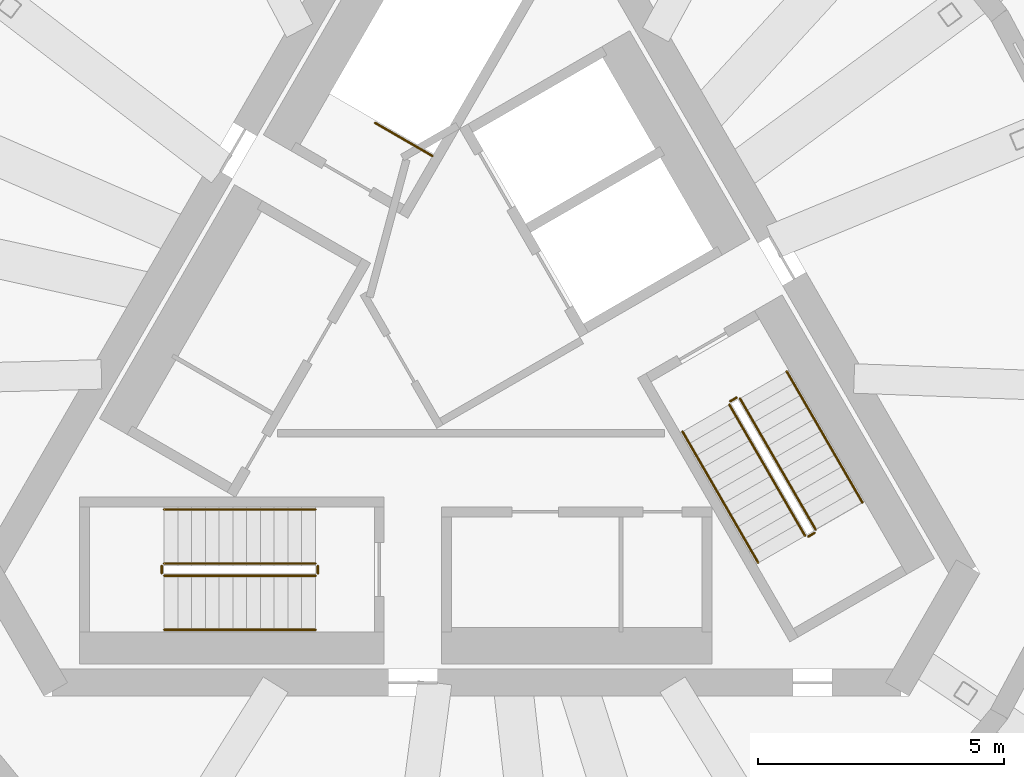
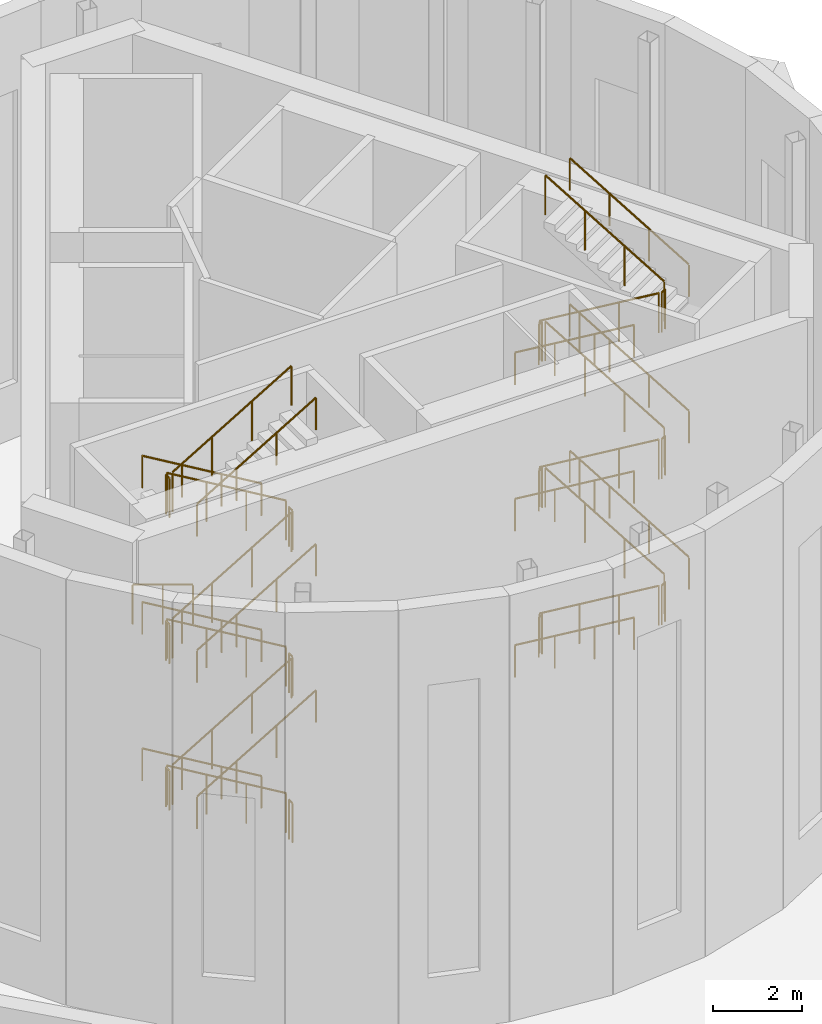
# One storey, part 9 of 9: 37 railings.
"""IFC4 building model written with IfcOpenShell, lengths in metres."""

from ifc_helpers import new_model, si_unit, direction, frame, origin, origin_2d, place, context, subcontext, project, spatial, circle, extrude, material, type_object, element, save


model = new_model("IFC4")

# Units and contexts
model_context = context("Model", 3, precision=1e-05, world=origin(), true_north=direction((0.0, 1.0)))
body_context = subcontext(model_context, "Body", "Model", "MODEL_VIEW")
ifc_project = project(units=[si_unit("LENGTHUNIT", "METRE"), si_unit("AREAUNIT", "SQUARE_METRE"), si_unit("VOLUMEUNIT", "CUBIC_METRE"), si_unit("PLANEANGLEUNIT", "RADIAN"), si_unit("MASSUNIT", "GRAM", prefix="KILO")], contexts=[model_context])

# Site, building, storey
site_placement = place(None, origin())
site = spatial("IfcSite", under=ifc_project, at=site_placement, CompositionType="ELEMENT")
building_placement = place(site_placement, origin())
building = spatial("IfcBuilding", under=site, at=building_placement, Name="Tramontana Tower", CompositionType="ELEMENT")
storey_placement = place(building_placement, frame((0.0, 0.0, 380.89990234375)))
storey = spatial("IfcBuildingStorey", under=building, at=storey_placement, Name="Crown", CompositionType="ELEMENT", Elevation=380.89990234375)

# Railings
ifc_material_1 = material(Name="Painted steel", Category="steel")
railing_type_1 = type_object("IfcRailingType", Name="STAIR GUARD 1100", PredefinedType="GUARDRAIL", material=ifc_material_1)
railing_1_placement = place(storey_placement, frame((-0.896484375, 4.247314453125, 0.0)))
element("IfcRailing", 1, at=railing_1_placement, inside=storey, type_object=railing_type_1, Name="Crown ST1 top well guard 1", PredefinedType="GUARDRAIL", context=body_context, shape_type="SweptSolid", body=[
    extrude(circle(Radius=0.02392578125, at=origin_2d()), frame((0.0, 0.0, 1.076171875), z_axis=(-0.866019956843, 0.50000943426, 0.0), x_axis=(-0.50000943426, -0.866019956843, 0.0)), (0.0, 0.0, 1.0), 1.35009765625),
    extrude(circle(Radius=0.02099609375, at=origin_2d()), origin(), (0.0, 0.0, 1.0), 1.052001953125),
    extrude(circle(Radius=0.02099609375, at=origin_2d()), frame((-0.58447265625, 0.33740234375, 0.0)), (0.0, 0.0, 1.0), 1.052001953125),
    extrude(circle(Radius=0.02099609375, at=origin_2d()), frame((-1.169189453125, 0.675048828125, 0.0)), (0.0, 0.0, 1.0), 1.052001953125),
])
railing_2_placement = place(storey_placement, frame((-3.280029296875, -4.050048828125, 0.166748046875)))
element("IfcRailing", 2, at=railing_2_placement, inside=storey, type_object=railing_type_1, Name="Crown ST2 stair guard 1", PredefinedType="GUARDRAIL", context=body_context, shape_type="SweptSolid", body=[
    extrude(circle(Radius=0.02392578125, at=origin_2d()), frame((0.0, 0.0, 1.076171875), z_axis=(-0.859308565015, 0.0, 0.511457515432), x_axis=(0.0, -1.0, 0.0)), (0.0, 0.0, 1.0), 3.58447265625),
    extrude(circle(Radius=0.02099609375, at=origin_2d()), origin(), (0.0, 0.0, 1.0), 1.052001953125),
    extrude(circle(Radius=0.02099609375, at=origin_2d()), frame((-1.026611328125, 0.0, 0.611083984375)), (0.0, 0.0, 1.0), 1.052001953125),
    extrude(circle(Radius=0.02099609375, at=origin_2d()), frame((-2.053466796875, 0.0, 1.22216796875)), (0.0, 0.0, 1.0), 1.052001953125),
    extrude(circle(Radius=0.02099609375, at=origin_2d()), frame((-3.080078125, 0.0, 1.833251953125)), (0.0, 0.0, 1.0), 1.052001953125),
])
railing_3_placement = place(storey_placement, frame((-6.360107421875, -4.300048828125, 2.166748046875)))
element("IfcRailing", 3, at=railing_3_placement, inside=storey, type_object=railing_type_1, Name="Crown ST2 stair guard 2", PredefinedType="GUARDRAIL", context=body_context, shape_type="SweptSolid", body=[
    extrude(circle(Radius=0.02392578125, at=origin_2d()), frame((0.0, 0.0, 1.076171875), z_axis=(0.859308565015, 0.0, 0.511457515432), x_axis=(0.0, 1.0, 0.0)), (0.0, 0.0, 1.0), 3.58447265625),
    extrude(circle(Radius=0.02099609375, at=origin_2d()), origin(), (0.0, 0.0, 1.0), 1.052001953125),
    extrude(circle(Radius=0.02099609375, at=origin_2d()), frame((1.026611328125, 0.0, 0.611083984375)), (0.0, 0.0, 1.0), 1.052001953125),
    extrude(circle(Radius=0.02099609375, at=origin_2d()), frame((2.053466796875, 0.0, 1.22216796875)), (0.0, 0.0, 1.0), 1.052001953125),
    extrude(circle(Radius=0.02099609375, at=origin_2d()), frame((3.080078125, 0.0, 1.833251953125)), (0.0, 0.0, 1.0), 1.052001953125),
])
railing_4_placement = place(storey_placement, frame((-3.280029296875, -4.050048828125, 4.166748046875)))
element("IfcRailing", 4, at=railing_4_placement, inside=storey, type_object=railing_type_1, Name="Crown ST2 stair guard 3", PredefinedType="GUARDRAIL", context=body_context, shape_type="SweptSolid", body=[
    extrude(circle(Radius=0.02392578125, at=origin_2d()), frame((0.0, 0.0, 1.076171875), z_axis=(-0.859308565015, 0.0, 0.511457515432), x_axis=(0.0, -1.0, 0.0)), (0.0, 0.0, 1.0), 3.58447265625),
    extrude(circle(Radius=0.02099609375, at=origin_2d()), origin(), (0.0, 0.0, 1.0), 1.052001953125),
    extrude(circle(Radius=0.02099609375, at=origin_2d()), frame((-1.026611328125, 0.0, 0.611083984375)), (0.0, 0.0, 1.0), 1.052001953125),
    extrude(circle(Radius=0.02099609375, at=origin_2d()), frame((-2.053466796875, 0.0, 1.22216796875)), (0.0, 0.0, 1.0), 1.052001953125),
    extrude(circle(Radius=0.02099609375, at=origin_2d()), frame((-3.080078125, 0.0, 1.833251953125)), (0.0, 0.0, 1.0), 1.052001953125),
])
railing_5_placement = place(storey_placement, frame((-6.360107421875, -4.300048828125, 6.166748046875)))
element("IfcRailing", 5, at=railing_5_placement, inside=storey, type_object=railing_type_1, Name="Crown ST2 stair guard 4", PredefinedType="GUARDRAIL", context=body_context, shape_type="SweptSolid", body=[
    extrude(circle(Radius=0.02392578125, at=origin_2d()), frame((0.0, 0.0, 1.076171875), z_axis=(0.859308565015, 0.0, 0.511457515432), x_axis=(0.0, 1.0, 0.0)), (0.0, 0.0, 1.0), 3.58447265625),
    extrude(circle(Radius=0.02099609375, at=origin_2d()), origin(), (0.0, 0.0, 1.0), 1.052001953125),
    extrude(circle(Radius=0.02099609375, at=origin_2d()), frame((1.026611328125, 0.0, 0.611083984375)), (0.0, 0.0, 1.0), 1.052001953125),
    extrude(circle(Radius=0.02099609375, at=origin_2d()), frame((2.053466796875, 0.0, 1.22216796875)), (0.0, 0.0, 1.0), 1.052001953125),
    extrude(circle(Radius=0.02099609375, at=origin_2d()), frame((3.080078125, 0.0, 1.833251953125)), (0.0, 0.0, 1.0), 1.052001953125),
])
railing_6_placement = place(storey_placement, frame((-3.280029296875, -4.050048828125, 8.166748046875)))
element("IfcRailing", 6, at=railing_6_placement, inside=storey, type_object=railing_type_1, Name="Crown ST2 stair guard 5", PredefinedType="GUARDRAIL", context=body_context, shape_type="SweptSolid", body=[
    extrude(circle(Radius=0.02392578125, at=origin_2d()), frame((0.0, 0.0, 1.076171875), z_axis=(-0.859308565015, 0.0, 0.511457515432), x_axis=(0.0, -1.0, 0.0)), (0.0, 0.0, 1.0), 3.58447265625),
    extrude(circle(Radius=0.02099609375, at=origin_2d()), origin(), (0.0, 0.0, 1.0), 1.052001953125),
    extrude(circle(Radius=0.02099609375, at=origin_2d()), frame((-1.026611328125, 0.0, 0.611083984375)), (0.0, 0.0, 1.0), 1.052001953125),
    extrude(circle(Radius=0.02099609375, at=origin_2d()), frame((-2.053466796875, 0.0, 1.22216796875)), (0.0, 0.0, 1.0), 1.052001953125),
    extrude(circle(Radius=0.02099609375, at=origin_2d()), frame((-3.080078125, 0.0, 1.833251953125)), (0.0, 0.0, 1.0), 1.052001953125),
])
railing_7_placement = place(storey_placement, frame((-6.360107421875, -4.300048828125, 10.166748046875)))
element("IfcRailing", 7, at=railing_7_placement, inside=storey, type_object=railing_type_1, Name="Crown ST2 stair guard 6", PredefinedType="GUARDRAIL", context=body_context, shape_type="SweptSolid", body=[
    extrude(circle(Radius=0.02392578125, at=origin_2d()), frame((0.0, 0.0, 1.076171875), z_axis=(0.859308565015, 0.0, 0.511457515432), x_axis=(0.0, 1.0, 0.0)), (0.0, 0.0, 1.0), 3.58447265625),
    extrude(circle(Radius=0.02099609375, at=origin_2d()), origin(), (0.0, 0.0, 1.0), 1.052001953125),
    extrude(circle(Radius=0.02099609375, at=origin_2d()), frame((1.026611328125, 0.0, 0.611083984375)), (0.0, 0.0, 1.0), 1.052001953125),
    extrude(circle(Radius=0.02099609375, at=origin_2d()), frame((2.053466796875, 0.0, 1.22216796875)), (0.0, 0.0, 1.0), 1.052001953125),
    extrude(circle(Radius=0.02099609375, at=origin_2d()), frame((3.080078125, 0.0, 1.833251953125)), (0.0, 0.0, 1.0), 1.052001953125),
])
for number, where, name in (
    (8, (-6.409912109375, -4.10009765625, 2.0), "Crown ST2 stair guard 7"),
    (9, (-3.22998046875, -4.10009765625, 4.0), "Crown ST2 stair guard 8"),
    (10, (-6.409912109375, -4.10009765625, 6.0), "Crown ST2 stair guard 9"),
    (11, (-3.22998046875, -4.10009765625, 8.0), "Crown ST2 stair guard 10"),
    (12, (-6.409912109375, -4.10009765625, 10.0), "Crown ST2 stair guard 11"),
    (13, (-3.22998046875, -4.10009765625, 0.0), "Crown ST2 stair guard 12"),
):
    element("IfcRailing", number, at=place(storey_placement, frame(where)), inside=storey, type_object=railing_type_1, Name=name, PredefinedType="GUARDRAIL", context=body_context, shape_type="SweptSolid", body=[
        extrude(circle(Radius=0.02392578125, at=origin_2d()), frame((0.0, 0.0, 1.076171875), z_axis=(0.0, -1.0, 0.0), x_axis=(1.0, 0.0, 0.0)), (0.0, 0.0, 1.0), 0.14990234375),
        extrude(circle(Radius=0.02099609375, at=origin_2d()), origin(), (0.0, 0.0, 1.0), 1.052001953125),
        extrude(circle(Radius=0.02099609375, at=origin_2d()), frame((0.0, -0.14990234375, 0.0)), (0.0, 0.0, 1.0), 1.052001953125),
    ])
railing_8_placement = place(storey_placement, frame((5.1474609375, -0.815673828125, 0.166748046875)))
element("IfcRailing", 14, at=railing_8_placement, inside=storey, type_object=railing_type_1, Name="Crown ST3 stair guard 1", PredefinedType="GUARDRAIL", context=body_context, shape_type="SweptSolid", body=[
    extrude(circle(Radius=0.02392578125, at=origin_2d()), frame((0.0, 0.0, 1.076171875), z_axis=(0.429671193721, -0.744159446956, 0.511477646425), x_axis=(0.866010015463, 0.500026652407, 0.0)), (0.0, 0.0, 1.0), 3.584228515625),
    extrude(circle(Radius=0.02099609375, at=origin_2d()), origin(), (0.0, 0.0, 1.0), 1.052001953125),
    extrude(circle(Radius=0.02099609375, at=origin_2d()), frame((0.513427734375, -0.88916015625, 0.611083984375)), (0.0, 0.0, 1.0), 1.052001953125),
    extrude(circle(Radius=0.02099609375, at=origin_2d()), frame((1.026611328125, -1.778076171875, 1.22216796875)), (0.0, 0.0, 1.0), 1.052001953125),
    extrude(circle(Radius=0.02099609375, at=origin_2d()), frame((1.5400390625, -2.667236328125, 1.833251953125)), (0.0, 0.0, 1.0), 1.052001953125),
])
railing_9_placement = place(storey_placement, frame((6.90380859375, -3.35791015625, 2.166748046875)))
element("IfcRailing", 15, at=railing_9_placement, inside=storey, type_object=railing_type_1, Name="Crown ST3 stair guard 2", PredefinedType="GUARDRAIL", context=body_context, shape_type="SweptSolid", body=[
    extrude(circle(Radius=0.02392578125, at=origin_2d()), frame((0.0, 0.0, 1.076171875), z_axis=(-0.429615651263, 0.74418122563, 0.511492615401), x_axis=(-0.866044340336, -0.499967199496, 0.0)), (0.0, 0.0, 1.0), 3.584228515625),
    extrude(circle(Radius=0.02099609375, at=origin_2d()), origin(), (0.0, 0.0, 1.0), 1.052001953125),
    extrude(circle(Radius=0.02099609375, at=origin_2d()), frame((-0.51318359375, 0.88916015625, 0.611083984375)), (0.0, 0.0, 1.0), 1.052001953125),
    extrude(circle(Radius=0.02099609375, at=origin_2d()), frame((-1.026611328125, 1.778076171875, 1.22216796875)), (0.0, 0.0, 1.0), 1.052001953125),
    extrude(circle(Radius=0.02099609375, at=origin_2d()), frame((-1.539794921875, 2.667236328125, 1.833251953125)), (0.0, 0.0, 1.0), 1.052001953125),
])
railing_10_placement = place(storey_placement, frame((5.1474609375, -0.815673828125, 4.166748046875)))
element("IfcRailing", 16, at=railing_10_placement, inside=storey, type_object=railing_type_1, Name="Crown ST3 stair guard 3", PredefinedType="GUARDRAIL", context=body_context, shape_type="SweptSolid", body=[
    extrude(circle(Radius=0.02392578125, at=origin_2d()), frame((0.0, 0.0, 1.076171875), z_axis=(0.429671193721, -0.744159446956, 0.511477646425), x_axis=(0.866010015463, 0.500026652407, 0.0)), (0.0, 0.0, 1.0), 3.584228515625),
    extrude(circle(Radius=0.02099609375, at=origin_2d()), origin(), (0.0, 0.0, 1.0), 1.052001953125),
    extrude(circle(Radius=0.02099609375, at=origin_2d()), frame((0.513427734375, -0.88916015625, 0.611083984375)), (0.0, 0.0, 1.0), 1.052001953125),
    extrude(circle(Radius=0.02099609375, at=origin_2d()), frame((1.026611328125, -1.778076171875, 1.22216796875)), (0.0, 0.0, 1.0), 1.052001953125),
    extrude(circle(Radius=0.02099609375, at=origin_2d()), frame((1.5400390625, -2.667236328125, 1.833251953125)), (0.0, 0.0, 1.0), 1.052001953125),
])
railing_11_placement = place(storey_placement, frame((6.90380859375, -3.35791015625, 6.166748046875)))
element("IfcRailing", 17, at=railing_11_placement, inside=storey, type_object=railing_type_1, Name="Crown ST3 stair guard 4", PredefinedType="GUARDRAIL", context=body_context, shape_type="SweptSolid", body=[
    extrude(circle(Radius=0.02392578125, at=origin_2d()), frame((0.0, 0.0, 1.076171875), z_axis=(-0.429615651263, 0.74418122563, 0.511492615401), x_axis=(-0.866044340336, -0.499967199496, 0.0)), (0.0, 0.0, 1.0), 3.584228515625),
    extrude(circle(Radius=0.02099609375, at=origin_2d()), origin(), (0.0, 0.0, 1.0), 1.052001953125),
    extrude(circle(Radius=0.02099609375, at=origin_2d()), frame((-0.51318359375, 0.88916015625, 0.611083984375)), (0.0, 0.0, 1.0), 1.052001953125),
    extrude(circle(Radius=0.02099609375, at=origin_2d()), frame((-1.026611328125, 1.778076171875, 1.22216796875)), (0.0, 0.0, 1.0), 1.052001953125),
    extrude(circle(Radius=0.02099609375, at=origin_2d()), frame((-1.539794921875, 2.667236328125, 1.833251953125)), (0.0, 0.0, 1.0), 1.052001953125),
])
railing_12_placement = place(storey_placement, frame((5.1474609375, -0.815673828125, 8.166748046875)))
element("IfcRailing", 18, at=railing_12_placement, inside=storey, type_object=railing_type_1, Name="Crown ST3 stair guard 5", PredefinedType="GUARDRAIL", context=body_context, shape_type="SweptSolid", body=[
    extrude(circle(Radius=0.02392578125, at=origin_2d()), frame((0.0, 0.0, 1.076171875), z_axis=(0.429671193721, -0.744159446956, 0.511477646425), x_axis=(0.866010015463, 0.500026652407, 0.0)), (0.0, 0.0, 1.0), 3.584228515625),
    extrude(circle(Radius=0.02099609375, at=origin_2d()), origin(), (0.0, 0.0, 1.0), 1.052001953125),
    extrude(circle(Radius=0.02099609375, at=origin_2d()), frame((0.513427734375, -0.88916015625, 0.611083984375)), (0.0, 0.0, 1.0), 1.052001953125),
    extrude(circle(Radius=0.02099609375, at=origin_2d()), frame((1.026611328125, -1.778076171875, 1.22216796875)), (0.0, 0.0, 1.0), 1.052001953125),
    extrude(circle(Radius=0.02099609375, at=origin_2d()), frame((1.5400390625, -2.667236328125, 1.833251953125)), (0.0, 0.0, 1.0), 1.052001953125),
])
railing_13_placement = place(storey_placement, frame((6.90380859375, -3.35791015625, 10.166748046875)))
element("IfcRailing", 19, at=railing_13_placement, inside=storey, type_object=railing_type_1, Name="Crown ST3 stair guard 6", PredefinedType="GUARDRAIL", context=body_context, shape_type="SweptSolid", body=[
    extrude(circle(Radius=0.02392578125, at=origin_2d()), frame((0.0, 0.0, 1.076171875), z_axis=(-0.429615651263, 0.74418122563, 0.511492615401), x_axis=(-0.866044340336, -0.499967199496, 0.0)), (0.0, 0.0, 1.0), 3.584228515625),
    extrude(circle(Radius=0.02099609375, at=origin_2d()), origin(), (0.0, 0.0, 1.0), 1.052001953125),
    extrude(circle(Radius=0.02099609375, at=origin_2d()), frame((-0.51318359375, 0.88916015625, 0.611083984375)), (0.0, 0.0, 1.0), 1.052001953125),
    extrude(circle(Radius=0.02099609375, at=origin_2d()), frame((-1.026611328125, 1.778076171875, 1.22216796875)), (0.0, 0.0, 1.0), 1.052001953125),
    extrude(circle(Radius=0.02099609375, at=origin_2d()), frame((-1.539794921875, 2.667236328125, 1.833251953125)), (0.0, 0.0, 1.0), 1.052001953125),
])
for number, where, name in (
    (20, (6.755615234375, -3.501220703125, 2.0), "Crown ST3 stair guard 7"),
    (21, (5.165771484375, -0.747314453125, 4.0), "Crown ST3 stair guard 8"),
    (22, (6.755615234375, -3.501220703125, 6.0), "Crown ST3 stair guard 9"),
    (23, (5.165771484375, -0.747314453125, 8.0), "Crown ST3 stair guard 10"),
    (24, (6.755615234375, -3.501220703125, 10.0), "Crown ST3 stair guard 11"),
    (25, (5.165771484375, -0.747314453125, 0.0), "Crown ST3 stair guard 12"),
):
    element("IfcRailing", number, at=place(storey_placement, frame(where)), inside=storey, type_object=railing_type_1, Name=name, PredefinedType="GUARDRAIL", context=body_context, shape_type="SweptSolid", body=[
        extrude(circle(Radius=0.02392578125, at=origin_2d()), frame((0.0, 0.0, 1.076171875), z_axis=(0.866131372301, 0.499816412211, 0.0), x_axis=(-0.499816412211, 0.866131372301, 0.0)), (0.0, 0.0, 1.0), 0.14990234375),
        extrude(circle(Radius=0.02099609375, at=origin_2d()), origin(), (0.0, 0.0, 1.0), 1.052001953125),
        extrude(circle(Radius=0.02099609375, at=origin_2d()), frame((0.1298828125, 0.074951171875, 0.0)), (0.0, 0.0, 1.0), 1.052001953125),
    ])
ifc_material_2 = material(Name="Painted steel", Category="steel")
railing_type_2 = type_object("IfcRailingType", Name="STAIR HANDRAIL 900", PredefinedType="HANDRAIL", material=ifc_material_2)
railing_14_placement = place(storey_placement, frame((-3.280029296875, -2.949951171875, 0.166748046875)))
element("IfcRailing", 26, at=railing_14_placement, inside=storey, type_object=railing_type_2, Name="Crown ST2 stair handrail 1", PredefinedType="HANDRAIL", context=body_context, shape_type="SweptSolid", body=[
    extrude(circle(Radius=0.02392578125, at=origin_2d()), frame((0.0, 0.0, 0.8759765625), z_axis=(-0.859308565015, 0.0, 0.511457515432), x_axis=(0.0, -1.0, 0.0)), (0.0, 0.0, 1.0), 3.58447265625),
    extrude(circle(Radius=0.02099609375, at=origin_2d()), origin(), (0.0, 0.0, 1.0), 0.851806640625),
    extrude(circle(Radius=0.02099609375, at=origin_2d()), frame((-1.026611328125, 0.0, 0.611083984375)), (0.0, 0.0, 1.0), 0.851806640625),
    extrude(circle(Radius=0.02099609375, at=origin_2d()), frame((-2.053466796875, 0.0, 1.22216796875)), (0.0, 0.0, 1.0), 0.851806640625),
    extrude(circle(Radius=0.02099609375, at=origin_2d()), frame((-3.080078125, 0.0, 1.833251953125)), (0.0, 0.0, 1.0), 0.851806640625),
])
railing_15_placement = place(storey_placement, frame((-6.360107421875, -5.39990234375, 2.166748046875)))
element("IfcRailing", 27, at=railing_15_placement, inside=storey, type_object=railing_type_2, Name="Crown ST2 stair handrail 2", PredefinedType="HANDRAIL", context=body_context, shape_type="SweptSolid", body=[
    extrude(circle(Radius=0.02392578125, at=origin_2d()), frame((0.0, 0.0, 0.8759765625), z_axis=(0.859308565015, 0.0, 0.511457515432), x_axis=(0.0, 1.0, 0.0)), (0.0, 0.0, 1.0), 3.58447265625),
    extrude(circle(Radius=0.02099609375, at=origin_2d()), origin(), (0.0, 0.0, 1.0), 0.851806640625),
    extrude(circle(Radius=0.02099609375, at=origin_2d()), frame((1.026611328125, 0.0, 0.611083984375)), (0.0, 0.0, 1.0), 0.851806640625),
    extrude(circle(Radius=0.02099609375, at=origin_2d()), frame((2.053466796875, 0.0, 1.22216796875)), (0.0, 0.0, 1.0), 0.851806640625),
    extrude(circle(Radius=0.02099609375, at=origin_2d()), frame((3.080078125, 0.0, 1.833251953125)), (0.0, 0.0, 1.0), 0.851806640625),
])
railing_16_placement = place(storey_placement, frame((-3.280029296875, -2.949951171875, 4.166748046875)))
element("IfcRailing", 28, at=railing_16_placement, inside=storey, type_object=railing_type_2, Name="Crown ST2 stair handrail 3", PredefinedType="HANDRAIL", context=body_context, shape_type="SweptSolid", body=[
    extrude(circle(Radius=0.02392578125, at=origin_2d()), frame((0.0, 0.0, 0.8759765625), z_axis=(-0.859308565015, 0.0, 0.511457515432), x_axis=(0.0, -1.0, 0.0)), (0.0, 0.0, 1.0), 3.58447265625),
    extrude(circle(Radius=0.02099609375, at=origin_2d()), origin(), (0.0, 0.0, 1.0), 0.851806640625),
    extrude(circle(Radius=0.02099609375, at=origin_2d()), frame((-1.026611328125, 0.0, 0.611083984375)), (0.0, 0.0, 1.0), 0.851806640625),
    extrude(circle(Radius=0.02099609375, at=origin_2d()), frame((-2.053466796875, 0.0, 1.22216796875)), (0.0, 0.0, 1.0), 0.851806640625),
    extrude(circle(Radius=0.02099609375, at=origin_2d()), frame((-3.080078125, 0.0, 1.833251953125)), (0.0, 0.0, 1.0), 0.851806640625),
])
railing_17_placement = place(storey_placement, frame((-6.360107421875, -5.39990234375, 6.166748046875)))
element("IfcRailing", 29, at=railing_17_placement, inside=storey, type_object=railing_type_2, Name="Crown ST2 stair handrail 4", PredefinedType="HANDRAIL", context=body_context, shape_type="SweptSolid", body=[
    extrude(circle(Radius=0.02392578125, at=origin_2d()), frame((0.0, 0.0, 0.8759765625), z_axis=(0.859308565015, 0.0, 0.511457515432), x_axis=(0.0, 1.0, 0.0)), (0.0, 0.0, 1.0), 3.58447265625),
    extrude(circle(Radius=0.02099609375, at=origin_2d()), origin(), (0.0, 0.0, 1.0), 0.851806640625),
    extrude(circle(Radius=0.02099609375, at=origin_2d()), frame((1.026611328125, 0.0, 0.611083984375)), (0.0, 0.0, 1.0), 0.851806640625),
    extrude(circle(Radius=0.02099609375, at=origin_2d()), frame((2.053466796875, 0.0, 1.22216796875)), (0.0, 0.0, 1.0), 0.851806640625),
    extrude(circle(Radius=0.02099609375, at=origin_2d()), frame((3.080078125, 0.0, 1.833251953125)), (0.0, 0.0, 1.0), 0.851806640625),
])
railing_18_placement = place(storey_placement, frame((-3.280029296875, -2.949951171875, 8.166748046875)))
element("IfcRailing", 30, at=railing_18_placement, inside=storey, type_object=railing_type_2, Name="Crown ST2 stair handrail 5", PredefinedType="HANDRAIL", context=body_context, shape_type="SweptSolid", body=[
    extrude(circle(Radius=0.02392578125, at=origin_2d()), frame((0.0, 0.0, 0.8759765625), z_axis=(-0.859308565015, 0.0, 0.511457515432), x_axis=(0.0, -1.0, 0.0)), (0.0, 0.0, 1.0), 3.58447265625),
    extrude(circle(Radius=0.02099609375, at=origin_2d()), origin(), (0.0, 0.0, 1.0), 0.851806640625),
    extrude(circle(Radius=0.02099609375, at=origin_2d()), frame((-1.026611328125, 0.0, 0.611083984375)), (0.0, 0.0, 1.0), 0.851806640625),
    extrude(circle(Radius=0.02099609375, at=origin_2d()), frame((-2.053466796875, 0.0, 1.22216796875)), (0.0, 0.0, 1.0), 0.851806640625),
    extrude(circle(Radius=0.02099609375, at=origin_2d()), frame((-3.080078125, 0.0, 1.833251953125)), (0.0, 0.0, 1.0), 0.851806640625),
])
railing_19_placement = place(storey_placement, frame((-6.360107421875, -5.39990234375, 10.166748046875)))
element("IfcRailing", 31, at=railing_19_placement, inside=storey, type_object=railing_type_2, Name="Crown ST2 stair handrail 6", PredefinedType="HANDRAIL", context=body_context, shape_type="SweptSolid", body=[
    extrude(circle(Radius=0.02392578125, at=origin_2d()), frame((0.0, 0.0, 0.8759765625), z_axis=(0.859308565015, 0.0, 0.511457515432), x_axis=(0.0, 1.0, 0.0)), (0.0, 0.0, 1.0), 3.58447265625),
    extrude(circle(Radius=0.02099609375, at=origin_2d()), origin(), (0.0, 0.0, 1.0), 0.851806640625),
    extrude(circle(Radius=0.02099609375, at=origin_2d()), frame((1.026611328125, 0.0, 0.611083984375)), (0.0, 0.0, 1.0), 0.851806640625),
    extrude(circle(Radius=0.02099609375, at=origin_2d()), frame((2.053466796875, 0.0, 1.22216796875)), (0.0, 0.0, 1.0), 0.851806640625),
    extrude(circle(Radius=0.02099609375, at=origin_2d()), frame((3.080078125, 0.0, 1.833251953125)), (0.0, 0.0, 1.0), 0.851806640625),
])
railing_20_placement = place(storey_placement, frame((4.19482421875, -1.365478515625, 0.166748046875)))
element("IfcRailing", 32, at=railing_20_placement, inside=storey, type_object=railing_type_2, Name="Crown ST3 stair handrail 1", PredefinedType="HANDRAIL", context=body_context, shape_type="SweptSolid", body=[
    extrude(circle(Radius=0.02392578125, at=origin_2d()), frame((0.0, 0.0, 0.8759765625), z_axis=(0.429649414936, -0.744189839504, 0.511451721109), x_axis=(0.866029832698, 0.499992328818, 0.0)), (0.0, 0.0, 1.0), 3.58447265625),
    extrude(circle(Radius=0.02099609375, at=origin_2d()), origin(), (0.0, 0.0, 1.0), 0.851806640625),
    extrude(circle(Radius=0.02099609375, at=origin_2d()), frame((0.513427734375, -0.88916015625, 0.611083984375)), (0.0, 0.0, 1.0), 0.851806640625),
    extrude(circle(Radius=0.02099609375, at=origin_2d()), frame((1.026611328125, -1.7783203125, 1.22216796875)), (0.0, 0.0, 1.0), 0.851806640625),
    extrude(circle(Radius=0.02099609375, at=origin_2d()), frame((1.5400390625, -2.66748046875, 1.833251953125)), (0.0, 0.0, 1.0), 0.851806640625),
])
railing_21_placement = place(storey_placement, frame((7.8564453125, -2.807861328125, 2.166748046875)))
element("IfcRailing", 33, at=railing_21_placement, inside=storey, type_object=railing_type_2, Name="Crown ST3 stair handrail 2", PredefinedType="HANDRAIL", context=body_context, shape_type="SweptSolid", body=[
    extrude(circle(Radius=0.02392578125, at=origin_2d()), frame((0.0, 0.0, 0.8759765625), z_axis=(-0.429615651263, 0.74418122563, 0.511492615401), x_axis=(-0.866044340336, -0.499967199496, 0.0)), (0.0, 0.0, 1.0), 3.584228515625),
    extrude(circle(Radius=0.02099609375, at=origin_2d()), origin(), (0.0, 0.0, 1.0), 0.851806640625),
    extrude(circle(Radius=0.02099609375, at=origin_2d()), frame((-0.51318359375, 0.88916015625, 0.611083984375)), (0.0, 0.0, 1.0), 0.851806640625),
    extrude(circle(Radius=0.02099609375, at=origin_2d()), frame((-1.026611328125, 1.778076171875, 1.22216796875)), (0.0, 0.0, 1.0), 0.851806640625),
    extrude(circle(Radius=0.02099609375, at=origin_2d()), frame((-1.539794921875, 2.667236328125, 1.833251953125)), (0.0, 0.0, 1.0), 0.851806640625),
])
railing_22_placement = place(storey_placement, frame((4.19482421875, -1.365478515625, 4.166748046875)))
element("IfcRailing", 34, at=railing_22_placement, inside=storey, type_object=railing_type_2, Name="Crown ST3 stair handrail 3", PredefinedType="HANDRAIL", context=body_context, shape_type="SweptSolid", body=[
    extrude(circle(Radius=0.02392578125, at=origin_2d()), frame((0.0, 0.0, 0.8759765625), z_axis=(0.429649414936, -0.744189839504, 0.511451721109), x_axis=(0.866029832698, 0.499992328818, 0.0)), (0.0, 0.0, 1.0), 3.58447265625),
    extrude(circle(Radius=0.02099609375, at=origin_2d()), origin(), (0.0, 0.0, 1.0), 0.851806640625),
    extrude(circle(Radius=0.02099609375, at=origin_2d()), frame((0.513427734375, -0.88916015625, 0.611083984375)), (0.0, 0.0, 1.0), 0.851806640625),
    extrude(circle(Radius=0.02099609375, at=origin_2d()), frame((1.026611328125, -1.7783203125, 1.22216796875)), (0.0, 0.0, 1.0), 0.851806640625),
    extrude(circle(Radius=0.02099609375, at=origin_2d()), frame((1.5400390625, -2.66748046875, 1.833251953125)), (0.0, 0.0, 1.0), 0.851806640625),
])
railing_23_placement = place(storey_placement, frame((7.8564453125, -2.807861328125, 6.166748046875)))
element("IfcRailing", 35, at=railing_23_placement, inside=storey, type_object=railing_type_2, Name="Crown ST3 stair handrail 4", PredefinedType="HANDRAIL", context=body_context, shape_type="SweptSolid", body=[
    extrude(circle(Radius=0.02392578125, at=origin_2d()), frame((0.0, 0.0, 0.8759765625), z_axis=(-0.429615651263, 0.74418122563, 0.511492615401), x_axis=(-0.866044340336, -0.499967199496, 0.0)), (0.0, 0.0, 1.0), 3.584228515625),
    extrude(circle(Radius=0.02099609375, at=origin_2d()), origin(), (0.0, 0.0, 1.0), 0.851806640625),
    extrude(circle(Radius=0.02099609375, at=origin_2d()), frame((-0.51318359375, 0.88916015625, 0.611083984375)), (0.0, 0.0, 1.0), 0.851806640625),
    extrude(circle(Radius=0.02099609375, at=origin_2d()), frame((-1.026611328125, 1.778076171875, 1.22216796875)), (0.0, 0.0, 1.0), 0.851806640625),
    extrude(circle(Radius=0.02099609375, at=origin_2d()), frame((-1.539794921875, 2.667236328125, 1.833251953125)), (0.0, 0.0, 1.0), 0.851806640625),
])
railing_24_placement = place(storey_placement, frame((4.19482421875, -1.365478515625, 8.166748046875)))
element("IfcRailing", 36, at=railing_24_placement, inside=storey, type_object=railing_type_2, Name="Crown ST3 stair handrail 5", PredefinedType="HANDRAIL", context=body_context, shape_type="SweptSolid", body=[
    extrude(circle(Radius=0.02392578125, at=origin_2d()), frame((0.0, 0.0, 0.8759765625), z_axis=(0.429649414936, -0.744189839504, 0.511451721109), x_axis=(0.866029832698, 0.499992328818, 0.0)), (0.0, 0.0, 1.0), 3.58447265625),
    extrude(circle(Radius=0.02099609375, at=origin_2d()), origin(), (0.0, 0.0, 1.0), 0.851806640625),
    extrude(circle(Radius=0.02099609375, at=origin_2d()), frame((0.513427734375, -0.88916015625, 0.611083984375)), (0.0, 0.0, 1.0), 0.851806640625),
    extrude(circle(Radius=0.02099609375, at=origin_2d()), frame((1.026611328125, -1.7783203125, 1.22216796875)), (0.0, 0.0, 1.0), 0.851806640625),
    extrude(circle(Radius=0.02099609375, at=origin_2d()), frame((1.5400390625, -2.66748046875, 1.833251953125)), (0.0, 0.0, 1.0), 0.851806640625),
])
railing_25_placement = place(storey_placement, frame((7.8564453125, -2.807861328125, 10.166748046875)))
element("IfcRailing", 37, at=railing_25_placement, inside=storey, type_object=railing_type_2, Name="Crown ST3 stair handrail 6", PredefinedType="HANDRAIL", context=body_context, shape_type="SweptSolid", body=[
    extrude(circle(Radius=0.02392578125, at=origin_2d()), frame((0.0, 0.0, 0.8759765625), z_axis=(-0.429615651263, 0.74418122563, 0.511492615401), x_axis=(-0.866044340336, -0.499967199496, 0.0)), (0.0, 0.0, 1.0), 3.584228515625),
    extrude(circle(Radius=0.02099609375, at=origin_2d()), origin(), (0.0, 0.0, 1.0), 0.851806640625),
    extrude(circle(Radius=0.02099609375, at=origin_2d()), frame((-0.51318359375, 0.88916015625, 0.611083984375)), (0.0, 0.0, 1.0), 0.851806640625),
    extrude(circle(Radius=0.02099609375, at=origin_2d()), frame((-1.026611328125, 1.778076171875, 1.22216796875)), (0.0, 0.0, 1.0), 0.851806640625),
    extrude(circle(Radius=0.02099609375, at=origin_2d()), frame((-1.539794921875, 2.667236328125, 1.833251953125)), (0.0, 0.0, 1.0), 0.851806640625),
])

save(model, "model.ifc")
